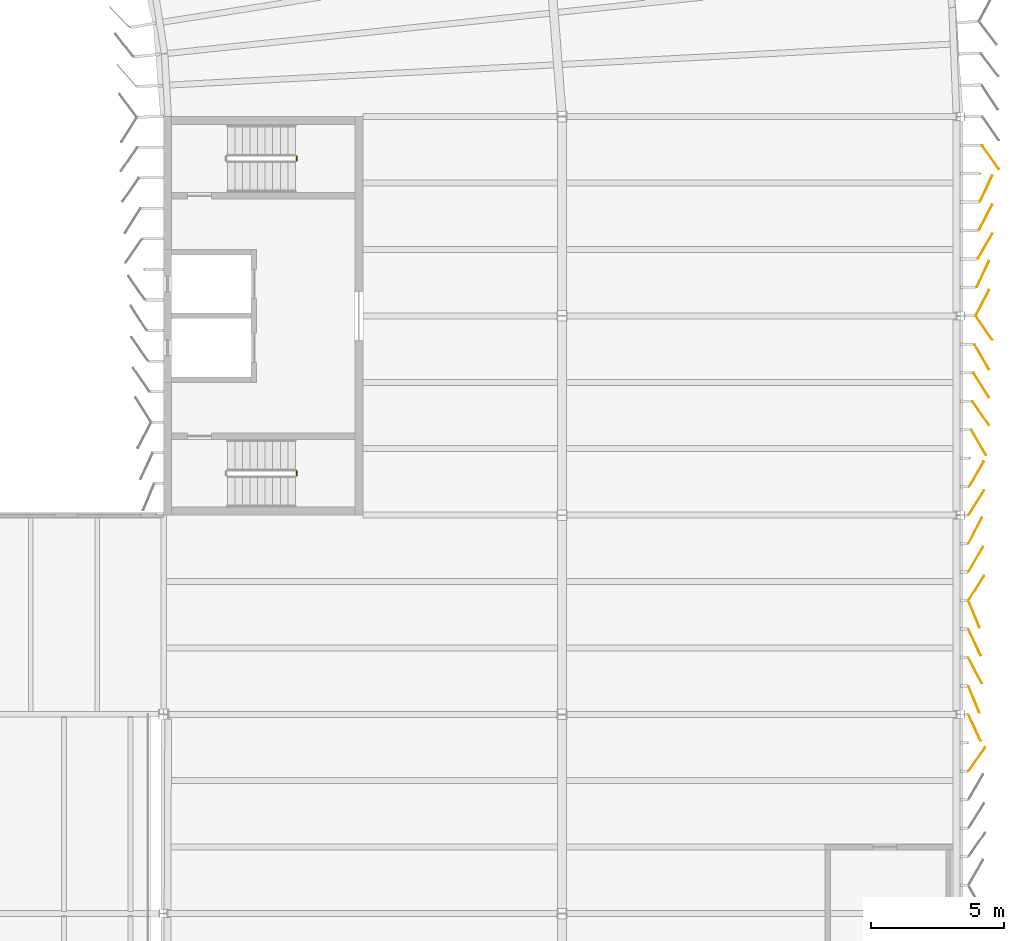
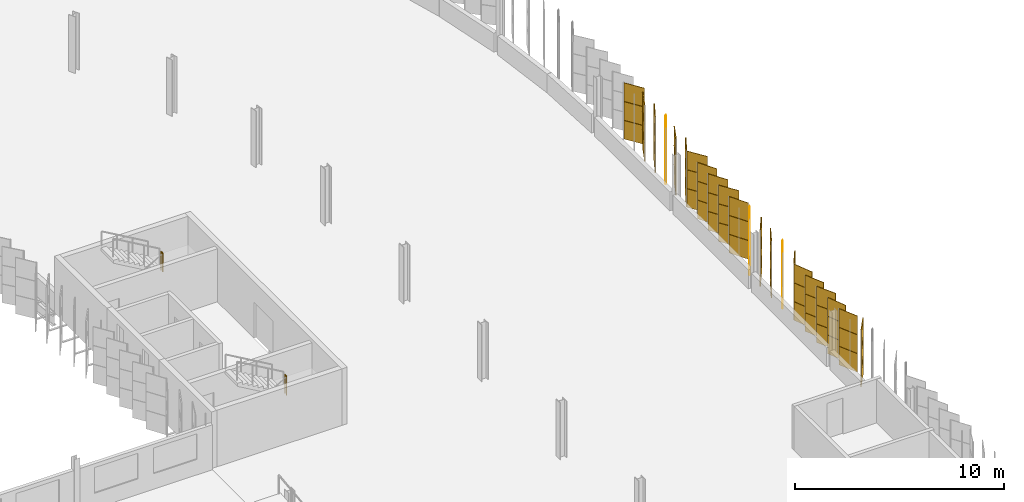
# One storey, part 209 of 214: 66 coverings, 2 railings.
"""IFC4 building model written with IfcOpenShell, lengths in metres."""

from ifc_helpers import new_model, si_unit, direction, frame, origin, origin_2d, place, context, subcontext, project, spatial, rectangle, circle, extrude, material, layer, layer_set, type_object, element, save


model = new_model("IFC4")

# Units and contexts
model_context = context("Model", 3, precision=1e-05, world=origin(), true_north=direction((0.0, 1.0)))
body_context = subcontext(model_context, "Body", "Model", "MODEL_VIEW")
ifc_project = project(units=[si_unit("LENGTHUNIT", "METRE"), si_unit("AREAUNIT", "SQUARE_METRE"), si_unit("VOLUMEUNIT", "CUBIC_METRE"), si_unit("PLANEANGLEUNIT", "RADIAN"), si_unit("MASSUNIT", "GRAM", prefix="KILO")], contexts=[model_context])

# Site, building, storey
site_placement = place(None, origin())
site = spatial("IfcSite", under=ifc_project, at=site_placement, CompositionType="ELEMENT")
building_placement = place(site_placement, origin())
building = spatial("IfcBuilding", under=site, at=building_placement, Name="Parallax Yard Mobility Hub", CompositionType="ELEMENT")
storey_placement = place(building_placement, frame((0.0, 0.0, 3.300048828125)))
storey = spatial("IfcBuildingStorey", under=building, at=storey_placement, Name="L01", CompositionType="ELEMENT", Elevation=3.300048828125)

# Coverings
ifc_material_1 = material(Name="Aluminium panel, light oak finish", Category="aluminium")
ifc_layer_1 = layer(ifc_material_1, 0.030029296875)
ifc_layer_set_1 = layer_set([ifc_layer_1], Name="Skin panel 22.5 degree turn, oak finish")
covering_type_1 = type_object("IfcCoveringType", Name="Skin panel 22.5 degree turn, oak finish", PredefinedType="CLADDING", material=ifc_layer_set_1)
for number, where, z_axis, x_axis, name in (
    (1, (225.512939453125, 68.0537109375, 1.119873046875), (0.0, 0.0, 1.0), (0.382683432365, -0.923879532511, 0.0), "Skin panel 22.5 bay 38.1 row 2 level L01"),
    (2, (225.512939453125, 68.0537109375, 2.219970703125), (0.0, 0.0, 1.0), (0.382683432365, -0.923879532511, 0.0), "Skin panel 22.5 bay 38.1 row 3 level L01"),
    (3, (225.512939453125, 71.26904296875, 1.119873046875), (0.0, 0.0, 1.0), (0.382683432365, -0.923879532511, 0.0), "Skin panel 22.5 bay 38.4 row 2 level L01"),
    (4, (225.512939453125, 71.26904296875, 2.219970703125), (0.0, 0.0, 1.0), (0.382683432365, -0.923879532511, 0.0), "Skin panel 22.5 bay 38.4 row 3 level L01"),
):
    element("IfcCovering", number, at=place(storey_placement, frame(where, z_axis=z_axis, x_axis=x_axis)), inside=storey, type_object=covering_type_1, Name=name, ObjectType="SCREEN", PredefinedType="CLADDING", context=body_context, shape_type="SweptSolid", body=[
        extrude(rectangle(XDim=1.080078125, YDim=0.030029296875, at=origin_2d()), origin(), (0.0, 0.0, 1.0), 1.080078125),
    ])
ifc_material_2 = material(Name="Aluminium panel, walnut finish", Category="aluminium")
ifc_layer_2 = layer(ifc_material_2, 0.030029296875)
ifc_layer_set_2 = layer_set([ifc_layer_2], Name="Skin panel 22.5 degree turn, walnut finish")
covering_type_2 = type_object("IfcCoveringType", Name="Skin panel 22.5 degree turn, walnut finish", PredefinedType="CLADDING", material=ifc_layer_set_2)
for number, where, z_axis, x_axis, name in (
    (5, (225.512939453125, 68.0537109375, 0.02001953125), (0.0, 0.0, 1.0), (0.382683432365, -0.923879532511, 0.0), "Skin panel 22.5 bay 38.1 row 1 level L01"),
    (6, (225.512939453125, 71.26904296875, 0.02001953125), (0.0, 0.0, 1.0), (0.382683432365, -0.923879532511, 0.0), "Skin panel 22.5 bay 38.4 row 1 level L01"),
):
    element("IfcCovering", number, at=place(storey_placement, frame(where, z_axis=z_axis, x_axis=x_axis)), inside=storey, type_object=covering_type_2, Name=name, ObjectType="SCREEN", PredefinedType="CLADDING", context=body_context, shape_type="SweptSolid", body=[
        extrude(rectangle(XDim=1.080078125, YDim=0.030029296875, at=origin_2d()), origin(), (0.0, 0.0, 1.0), 1.080078125),
    ])
ifc_layer_3 = layer(ifc_material_1, 0.030029296875)
ifc_layer_set_3 = layer_set([ifc_layer_3], Name="Skin panel 25 degree turn, oak finish")
covering_type_3 = type_object("IfcCoveringType", Name="Skin panel 25 degree turn, oak finish", PredefinedType="CLADDING", material=ifc_layer_set_3)
for number, where, z_axis, x_axis, name in (
    (7, (225.53515625, 66.991943359375, 1.119873046875), (0.0, 0.0, 1.0), (0.422618261741, -0.906307787037, 0.0), "Skin panel 25 bay 37.7 row 2 level L01"),
    (8, (225.53515625, 66.991943359375, 2.219970703125), (0.0, 0.0, 1.0), (0.422618261741, -0.906307787037, 0.0), "Skin panel 25 bay 37.7 row 3 level L01"),
    (9, (225.53515625, 70.20703125, 1.119873046875), (0.0, 0.0, 1.0), (0.422618261741, -0.906307787037, 0.0), "Skin panel 25 bay 38.3 row 2 level L01"),
    (10, (225.53515625, 70.20703125, 2.219970703125), (0.0, 0.0, 1.0), (0.422618261741, -0.906307787037, 0.0), "Skin panel 25 bay 38.3 row 3 level L01"),
    (11, (225.846435546875, 84.076416015625, 1.119873046875), (0.0, 0.0, 1.0), (0.422618261741, 0.906307787037, 0.0), "Skin panel 25 bay 40.2 row 2 level L01"),
    (12, (225.846435546875, 84.076416015625, 2.219970703125), (0.0, 0.0, 1.0), (0.422618261741, 0.906307787037, 0.0), "Skin panel 25 bay 40.2 row 3 level L01"),
    (13, (225.966796875, 87.29150390625, 1.119873046875), (0.0, 0.0, 1.0), (0.422618261741, 0.906307787037, 0.0), "Skin panel 25 bay 40.5 row 2 level L01"),
    (14, (225.966796875, 87.29150390625, 2.219970703125), (0.0, 0.0, 1.0), (0.422618261741, 0.906307787037, 0.0), "Skin panel 25 bay 40.5 row 3 level L01"),
):
    element("IfcCovering", number, at=place(storey_placement, frame(where, z_axis=z_axis, x_axis=x_axis)), inside=storey, type_object=covering_type_3, Name=name, ObjectType="SCREEN", PredefinedType="CLADDING", context=body_context, shape_type="SweptSolid", body=[
        extrude(rectangle(XDim=1.080078125, YDim=0.030029296875, at=origin_2d()), origin(), (0.0, 0.0, 1.0), 1.080078125),
    ])
ifc_layer_4 = layer(ifc_material_2, 0.030029296875)
ifc_layer_set_4 = layer_set([ifc_layer_4], Name="Skin panel 25 degree turn, walnut finish")
covering_type_4 = type_object("IfcCoveringType", Name="Skin panel 25 degree turn, walnut finish", PredefinedType="CLADDING", material=ifc_layer_set_4)
for number, where, z_axis, x_axis, name in (
    (15, (225.53515625, 66.991943359375, 0.02001953125), (0.0, 0.0, 1.0), (0.422618261741, -0.906307787037, 0.0), "Skin panel 25 bay 37.7 row 1 level L01"),
    (16, (225.53515625, 70.20703125, 0.02001953125), (0.0, 0.0, 1.0), (0.422618261741, -0.906307787037, 0.0), "Skin panel 25 bay 38.3 row 1 level L01"),
    (17, (225.846435546875, 84.076416015625, 0.02001953125), (0.0, 0.0, 1.0), (0.422618261741, 0.906307787037, 0.0), "Skin panel 25 bay 40.2 row 1 level L01"),
    (18, (225.966796875, 87.29150390625, 0.02001953125), (0.0, 0.0, 1.0), (0.422618261741, 0.906307787037, 0.0), "Skin panel 25 bay 40.5 row 1 level L01"),
):
    element("IfcCovering", number, at=place(storey_placement, frame(where, z_axis=z_axis, x_axis=x_axis)), inside=storey, type_object=covering_type_4, Name=name, ObjectType="SCREEN", PredefinedType="CLADDING", context=body_context, shape_type="SweptSolid", body=[
        extrude(rectangle(XDim=1.080078125, YDim=0.030029296875, at=origin_2d()), origin(), (0.0, 0.0, 1.0), 1.080078125),
    ])
ifc_layer_5 = layer(ifc_material_1, 0.030029296875)
ifc_layer_set_5 = layer_set([ifc_layer_5], Name="Skin panel 27.5 degree turn, oak finish")
covering_type_5 = type_object("IfcCoveringType", Name="Skin panel 27.5 degree turn, oak finish", PredefinedType="CLADDING", material=ifc_layer_set_5)
for number, where, z_axis, x_axis, name in (
    (19, (225.556884765625, 69.14599609375, 1.119873046875), (0.0, 0.0, 1.0), (0.461748613235, -0.887010833178, 0.0), "Skin panel 27.5 bay 38.2 row 2 level L01"),
    (20, (225.556884765625, 69.14599609375, 2.219970703125), (0.0, 0.0, 1.0), (0.461748613235, -0.887010833178, 0.0), "Skin panel 27.5 bay 38.2 row 3 level L01"),
    (21, (225.556884765625, 74.419921875, 1.119873046875), (0.0, 0.0, 1.0), (0.461748613235, 0.887010833178, 0.0), "Skin panel 27.5 bay 38.7 row 2 level L01"),
    (22, (225.556884765625, 74.419921875, 2.219970703125), (0.0, 0.0, 1.0), (0.461748613235, 0.887010833178, 0.0), "Skin panel 27.5 bay 38.7 row 3 level L01"),
    (23, (225.828125, 82.993896484375, 1.119873046875), (0.0, 0.0, 1.0), (0.461748613235, 0.887010833178, 0.0), "Skin panel 27.5 bay 40.1 row 2 level L01"),
    (24, (225.828125, 82.993896484375, 2.219970703125), (0.0, 0.0, 1.0), (0.461748613235, 0.887010833178, 0.0), "Skin panel 27.5 bay 40.1 row 3 level L01"),
    (25, (225.948486328125, 86.208984375, 1.119873046875), (0.0, 0.0, 1.0), (0.461748613235, 0.887010833178, 0.0), "Skin panel 27.5 bay 40.4 row 2 level L01"),
    (26, (225.948486328125, 86.208984375, 2.219970703125), (0.0, 0.0, 1.0), (0.461748613235, 0.887010833178, 0.0), "Skin panel 27.5 bay 40.4 row 3 level L01"),
):
    element("IfcCovering", number, at=place(storey_placement, frame(where, z_axis=z_axis, x_axis=x_axis)), inside=storey, type_object=covering_type_5, Name=name, ObjectType="SCREEN", PredefinedType="CLADDING", context=body_context, shape_type="SweptSolid", body=[
        extrude(rectangle(XDim=1.080078125, YDim=0.030029296875, at=origin_2d()), origin(), (0.0, 0.0, 1.0), 1.080078125),
    ])
ifc_layer_6 = layer(ifc_material_2, 0.030029296875)
ifc_layer_set_6 = layer_set([ifc_layer_6], Name="Skin panel 27.5 degree turn, walnut finish")
covering_type_6 = type_object("IfcCoveringType", Name="Skin panel 27.5 degree turn, walnut finish", PredefinedType="CLADDING", material=ifc_layer_set_6)
for number, where, z_axis, x_axis, name in (
    (27, (225.556884765625, 69.14599609375, 0.02001953125), (0.0, 0.0, 1.0), (0.461748613235, -0.887010833178, 0.0), "Skin panel 27.5 bay 38.2 row 1 level L01"),
    (28, (225.556884765625, 74.419921875, 0.02001953125), (0.0, 0.0, 1.0), (0.461748613235, 0.887010833178, 0.0), "Skin panel 27.5 bay 38.7 row 1 level L01"),
    (29, (225.828125, 82.993896484375, 0.02001953125), (0.0, 0.0, 1.0), (0.461748613235, 0.887010833178, 0.0), "Skin panel 27.5 bay 40.1 row 1 level L01"),
    (30, (225.948486328125, 86.208984375, 0.02001953125), (0.0, 0.0, 1.0), (0.461748613235, 0.887010833178, 0.0), "Skin panel 27.5 bay 40.4 row 1 level L01"),
):
    element("IfcCovering", number, at=place(storey_placement, frame(where, z_axis=z_axis, x_axis=x_axis)), inside=storey, type_object=covering_type_6, Name=name, ObjectType="SCREEN", PredefinedType="CLADDING", context=body_context, shape_type="SweptSolid", body=[
        extrude(rectangle(XDim=1.080078125, YDim=0.030029296875, at=origin_2d()), origin(), (0.0, 0.0, 1.0), 1.080078125),
    ])
ifc_layer_7 = layer(ifc_material_1, 0.030029296875)
ifc_layer_set_7 = layer_set([ifc_layer_7], Name="Skin panel 30 degree turn, oak finish")
covering_type_7 = type_object("IfcCoveringType", Name="Skin panel 30 degree turn, oak finish", PredefinedType="CLADDING", material=ifc_layer_set_7)
for number, where, z_axis, x_axis, name in (
    (31, (225.578125, 73.336669921875, 1.119873046875), (0.0, 0.0, 1.0), (0.5, 0.866025403784, 0.0), "Skin panel 30 bay 38.6 row 2 level L01"),
    (32, (225.578125, 73.336669921875, 2.219970703125), (0.0, 0.0, 1.0), (0.5, 0.866025403784, 0.0), "Skin panel 30 bay 38.6 row 3 level L01"),
    (33, (225.60888671875, 76.5517578125, 1.119873046875), (0.0, 0.0, 1.0), (0.5, 0.866025403784, 0.0), "Skin panel 30 bay 39.2 row 2 level L01"),
    (34, (225.60888671875, 76.5517578125, 2.219970703125), (0.0, 0.0, 1.0), (0.5, 0.866025403784, 0.0), "Skin panel 30 bay 39.2 row 3 level L01"),
    (35, (225.689208984375, 77.731689453125, 1.119873046875), (0.0, 0.0, 1.0), (0.5, -0.866025403784, 0.0), "Skin panel 30 bay 39.3 row 2 level L01"),
    (36, (225.689208984375, 77.731689453125, 2.219970703125), (0.0, 0.0, 1.0), (0.5, -0.866025403784, 0.0), "Skin panel 30 bay 39.3 row 3 level L01"),
    (37, (225.809326171875, 80.94677734375, 1.119873046875), (0.0, 0.0, 1.0), (0.5, -0.866025403784, 0.0), "Skin panel 30 bay 39.6 row 2 level L01"),
    (38, (225.809326171875, 80.94677734375, 2.219970703125), (0.0, 0.0, 1.0), (0.5, -0.866025403784, 0.0), "Skin panel 30 bay 39.6 row 3 level L01"),
    (39, (225.9296875, 85.12548828125, 1.119873046875), (0.0, 0.0, 1.0), (0.5, 0.866025403784, 0.0), "Skin panel 30 bay 40.3 row 2 level L01"),
    (40, (225.9296875, 85.12548828125, 2.219970703125), (0.0, 0.0, 1.0), (0.5, 0.866025403784, 0.0), "Skin panel 30 bay 40.3 row 3 level L01"),
):
    element("IfcCovering", number, at=place(storey_placement, frame(where, z_axis=z_axis, x_axis=x_axis)), inside=storey, type_object=covering_type_7, Name=name, ObjectType="SCREEN", PredefinedType="CLADDING", context=body_context, shape_type="SweptSolid", body=[
        extrude(rectangle(XDim=1.080078125, YDim=0.030029296875, at=origin_2d()), origin(), (0.0, 0.0, 1.0), 1.080078125),
    ])
ifc_layer_8 = layer(ifc_material_2, 0.030029296875)
ifc_layer_set_8 = layer_set([ifc_layer_8], Name="Skin panel 30 degree turn, walnut finish")
covering_type_8 = type_object("IfcCoveringType", Name="Skin panel 30 degree turn, walnut finish", PredefinedType="CLADDING", material=ifc_layer_set_8)
for number, where, z_axis, x_axis, name in (
    (41, (225.578125, 73.336669921875, 0.02001953125), (0.0, 0.0, 1.0), (0.5, 0.866025403784, 0.0), "Skin panel 30 bay 38.6 row 1 level L01"),
    (42, (225.60888671875, 76.5517578125, 0.02001953125), (0.0, 0.0, 1.0), (0.5, 0.866025403784, 0.0), "Skin panel 30 bay 39.2 row 1 level L01"),
    (43, (225.689208984375, 77.731689453125, 0.02001953125), (0.0, 0.0, 1.0), (0.5, -0.866025403784, 0.0), "Skin panel 30 bay 39.3 row 1 level L01"),
    (44, (225.809326171875, 80.94677734375, 0.02001953125), (0.0, 0.0, 1.0), (0.5, -0.866025403784, 0.0), "Skin panel 30 bay 39.6 row 1 level L01"),
    (45, (225.9296875, 85.12548828125, 0.02001953125), (0.0, 0.0, 1.0), (0.5, 0.866025403784, 0.0), "Skin panel 30 bay 40.3 row 1 level L01"),
):
    element("IfcCovering", number, at=place(storey_placement, frame(where, z_axis=z_axis, x_axis=x_axis)), inside=storey, type_object=covering_type_8, Name=name, ObjectType="SCREEN", PredefinedType="CLADDING", context=body_context, shape_type="SweptSolid", body=[
        extrude(rectangle(XDim=1.080078125, YDim=0.030029296875, at=origin_2d()), origin(), (0.0, 0.0, 1.0), 1.080078125),
    ])
ifc_layer_9 = layer(ifc_material_1, 0.030029296875)
ifc_layer_set_9 = layer_set([ifc_layer_9], Name="Skin panel 32.5 degree turn, oak finish")
covering_type_9 = type_object("IfcCoveringType", Name="Skin panel 32.5 degree turn, oak finish", PredefinedType="CLADDING", material=ifc_layer_set_9)
for number, where, z_axis, x_axis, name in (
    (46, (225.598876953125, 72.252197265625, 1.119873046875), (0.0, 0.0, 1.0), (0.537299608347, 0.843391445813, 0.0), "Skin panel 32.5 bay 38.5 row 2 level L01"),
    (47, (225.598876953125, 72.252197265625, 2.219970703125), (0.0, 0.0, 1.0), (0.537299608347, 0.843391445813, 0.0), "Skin panel 32.5 bay 38.5 row 3 level L01"),
    (48, (225.598876953125, 75.46728515625, 1.119873046875), (0.0, 0.0, 1.0), (0.537299608347, 0.843391445813, 0.0), "Skin panel 32.5 bay 39.1 row 2 level L01"),
    (49, (225.598876953125, 75.46728515625, 2.219970703125), (0.0, 0.0, 1.0), (0.537299608347, 0.843391445813, 0.0), "Skin panel 32.5 bay 39.1 row 3 level L01"),
    (50, (225.7900390625, 79.8876953125, 1.119873046875), (0.0, 0.0, 1.0), (0.537299608347, -0.843391445813, 0.0), "Skin panel 32.5 bay 39.5 row 2 level L01"),
    (51, (225.7900390625, 79.8876953125, 2.219970703125), (0.0, 0.0, 1.0), (0.537299608347, -0.843391445813, 0.0), "Skin panel 32.5 bay 39.5 row 3 level L01"),
):
    element("IfcCovering", number, at=place(storey_placement, frame(where, z_axis=z_axis, x_axis=x_axis)), inside=storey, type_object=covering_type_9, Name=name, ObjectType="SCREEN", PredefinedType="CLADDING", context=body_context, shape_type="SweptSolid", body=[
        extrude(rectangle(XDim=1.080078125, YDim=0.030029296875, at=origin_2d()), origin(), (0.0, 0.0, 1.0), 1.080078125),
    ])
ifc_layer_10 = layer(ifc_material_2, 0.030029296875)
ifc_layer_set_10 = layer_set([ifc_layer_10], Name="Skin panel 32.5 degree turn, walnut finish")
covering_type_10 = type_object("IfcCoveringType", Name="Skin panel 32.5 degree turn, walnut finish", PredefinedType="CLADDING", material=ifc_layer_set_10)
for number, where, z_axis, x_axis, name in (
    (52, (225.598876953125, 72.252197265625, 0.02001953125), (0.0, 0.0, 1.0), (0.537299608347, 0.843391445813, 0.0), "Skin panel 32.5 bay 38.5 row 1 level L01"),
    (53, (225.598876953125, 75.46728515625, 0.02001953125), (0.0, 0.0, 1.0), (0.537299608347, 0.843391445813, 0.0), "Skin panel 32.5 bay 39.1 row 1 level L01"),
    (54, (225.7900390625, 79.8876953125, 0.02001953125), (0.0, 0.0, 1.0), (0.537299608347, -0.843391445813, 0.0), "Skin panel 32.5 bay 39.5 row 1 level L01"),
):
    element("IfcCovering", number, at=place(storey_placement, frame(where, z_axis=z_axis, x_axis=x_axis)), inside=storey, type_object=covering_type_10, Name=name, ObjectType="SCREEN", PredefinedType="CLADDING", context=body_context, shape_type="SweptSolid", body=[
        extrude(rectangle(XDim=1.080078125, YDim=0.030029296875, at=origin_2d()), origin(), (0.0, 0.0, 1.0), 1.080078125),
    ])
ifc_layer_11 = layer(ifc_material_1, 0.030029296875)
ifc_layer_set_11 = layer_set([ifc_layer_11], Name="Skin panel 35 degree turn, oak finish")
covering_type_11 = type_object("IfcCoveringType", Name="Skin panel 35 degree turn, oak finish", PredefinedType="CLADDING", material=ifc_layer_set_11)
for number, where, z_axis, x_axis, name in (
    (55, (225.619140625, 65.808349609375, 1.119873046875), (0.0, 0.0, 1.0), (0.573576436351, 0.819152044289, 0.0), "Skin panel 35 bay 37.6 row 2 level L01"),
    (56, (225.619140625, 65.808349609375, 2.219970703125), (0.0, 0.0, 1.0), (0.573576436351, 0.819152044289, 0.0), "Skin panel 35 bay 37.6 row 3 level L01"),
    (57, (225.77001953125, 78.829345703125, 1.119873046875), (0.0, 0.0, 1.0), (0.573576436351, -0.819152044289, 0.0), "Skin panel 35 bay 39.4 row 2 level L01"),
    (58, (225.77001953125, 78.829345703125, 2.219970703125), (0.0, 0.0, 1.0), (0.573576436351, -0.819152044289, 0.0), "Skin panel 35 bay 39.4 row 3 level L01"),
    (59, (225.890380859375, 82.044677734375, 1.119873046875), (0.0, 0.0, 1.0), (0.573576436351, -0.819152044289, 0.0), "Skin panel 35 bay 39.7 row 2 level L01"),
    (60, (225.890380859375, 82.044677734375, 2.219970703125), (0.0, 0.0, 1.0), (0.573576436351, -0.819152044289, 0.0), "Skin panel 35 bay 39.7 row 3 level L01"),
    (61, (226.130859375, 88.47509765625, 1.119873046875), (0.0, 0.0, 1.0), (0.573576436351, -0.819152044289, 0.0), "Skin panel 35 bay 40.6 row 2 level L01"),
    (62, (226.130859375, 88.47509765625, 2.219970703125), (0.0, 0.0, 1.0), (0.573576436351, -0.819152044289, 0.0), "Skin panel 35 bay 40.6 row 3 level L01"),
):
    element("IfcCovering", number, at=place(storey_placement, frame(where, z_axis=z_axis, x_axis=x_axis)), inside=storey, type_object=covering_type_11, Name=name, ObjectType="SCREEN", PredefinedType="CLADDING", context=body_context, shape_type="SweptSolid", body=[
        extrude(rectangle(XDim=1.080078125, YDim=0.030029296875, at=origin_2d()), origin(), (0.0, 0.0, 1.0), 1.080078125),
    ])
ifc_layer_12 = layer(ifc_material_2, 0.030029296875)
ifc_layer_set_12 = layer_set([ifc_layer_12], Name="Skin panel 35 degree turn, walnut finish")
covering_type_12 = type_object("IfcCoveringType", Name="Skin panel 35 degree turn, walnut finish", PredefinedType="CLADDING", material=ifc_layer_set_12)
for number, where, z_axis, x_axis, name in (
    (63, (225.619140625, 65.808349609375, 0.02001953125), (0.0, 0.0, 1.0), (0.573576436351, 0.819152044289, 0.0), "Skin panel 35 bay 37.6 row 1 level L01"),
    (64, (225.77001953125, 78.829345703125, 0.02001953125), (0.0, 0.0, 1.0), (0.573576436351, -0.819152044289, 0.0), "Skin panel 35 bay 39.4 row 1 level L01"),
    (65, (225.890380859375, 82.044677734375, 0.02001953125), (0.0, 0.0, 1.0), (0.573576436351, -0.819152044289, 0.0), "Skin panel 35 bay 39.7 row 1 level L01"),
    (66, (226.130859375, 88.47509765625, 0.02001953125), (0.0, 0.0, 1.0), (0.573576436351, -0.819152044289, 0.0), "Skin panel 35 bay 40.6 row 1 level L01"),
):
    element("IfcCovering", number, at=place(storey_placement, frame(where, z_axis=z_axis, x_axis=x_axis)), inside=storey, type_object=covering_type_12, Name=name, ObjectType="SCREEN", PredefinedType="CLADDING", context=body_context, shape_type="SweptSolid", body=[
        extrude(rectangle(XDim=1.080078125, YDim=0.030029296875, at=origin_2d()), origin(), (0.0, 0.0, 1.0), 1.080078125),
    ])

# Railings
ifc_material_3 = material(Name="Steel ASTM A36", Category="steel")
railing_type = type_object("IfcRailingType", Name="Stair guard 1100", PredefinedType="GUARDRAIL", material=ifc_material_3)
for number, where, name in (
    (67, (200.014892578125, 76.5, 1.64990234375), "L01 ST7 stair guard 2"),
    (68, (200.014892578125, 88.35009765625, 1.64990234375), "L01 ST8 stair guard 2"),
):
    element("IfcRailing", number, at=place(storey_placement, frame(where)), inside=storey, type_object=railing_type, Name=name, PredefinedType="GUARDRAIL", context=body_context, shape_type="SweptSolid", body=[
        extrude(circle(Radius=0.02392578125, at=origin_2d()), frame((0.0, 0.0, 1.076171875), z_axis=(0.0, 1.0, 0.0), x_axis=(-1.0, 0.0, 0.0)), (0.0, 0.0, 1.0), 0.14990234375),
        extrude(circle(Radius=0.02099609375, at=origin_2d()), origin(), (0.0, 0.0, 1.0), 1.052001953125),
        extrude(circle(Radius=0.02099609375, at=origin_2d()), frame((0.0, 0.14990234375, 0.0)), (0.0, 0.0, 1.0), 1.052001953125),
    ])

save(model, "model.ifc")
